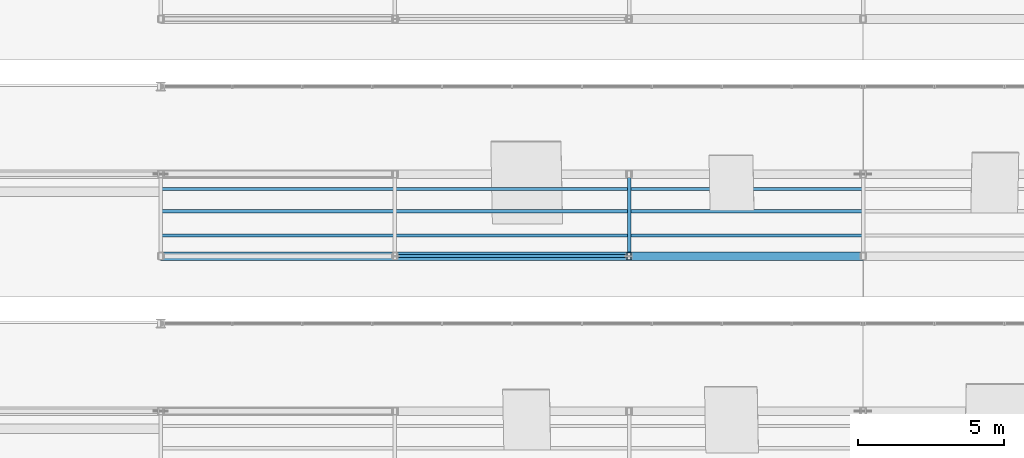
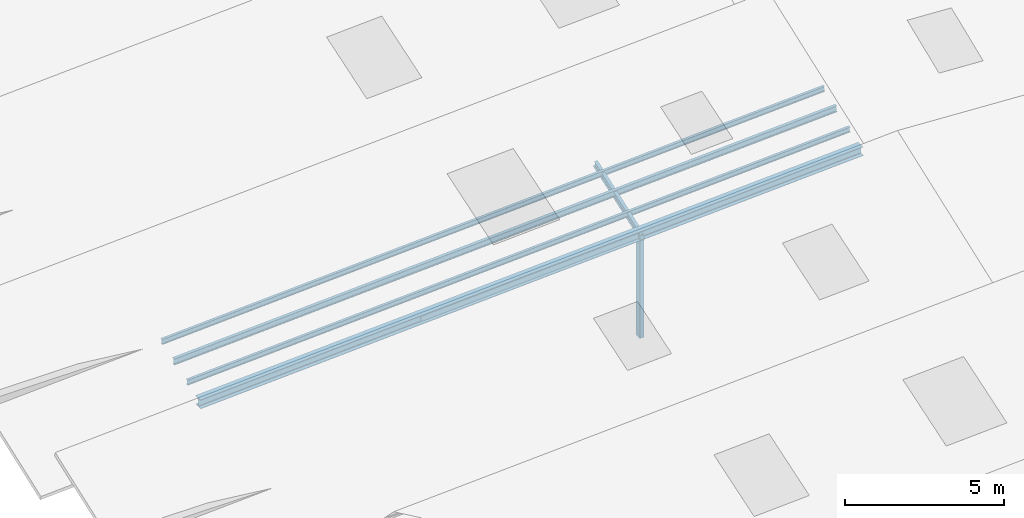
# One storey, part 79 of 141: 7 members.
"""IFC4 building model written with IfcOpenShell, lengths in metres."""

from ifc_helpers import new_model, si_unit, direction, frame, origin, origin_2d, place, context, subcontext, project, spatial, hollow_rectangle, i_section, extrude, material, material_profile, profile_set, type_object, element, save


model = new_model("IFC4")

# Units and contexts
model_context = context("Model", 3, precision=1e-05, world=origin(), true_north=direction((0.0, 1.0)))
body_context = subcontext(model_context, "Body", "Model", "MODEL_VIEW")
ifc_project = project(units=[si_unit("LENGTHUNIT", "METRE"), si_unit("AREAUNIT", "SQUARE_METRE"), si_unit("VOLUMEUNIT", "CUBIC_METRE"), si_unit("PLANEANGLEUNIT", "RADIAN"), si_unit("MASSUNIT", "GRAM", prefix="KILO")], contexts=[model_context])

# Site, building, storey
site_placement = place(None, origin())
site = spatial("IfcSite", under=ifc_project, at=site_placement, CompositionType="ELEMENT")
building_placement = place(site_placement, origin())
building = spatial("IfcBuilding", under=site, at=building_placement, Name="Sundkrona Museum", CompositionType="ELEMENT")
storey_placement = place(building_placement, frame((0.0, 0.0, 34.0)))
storey = spatial("IfcBuildingStorey", under=building, at=storey_placement, Name="RF", CompositionType="ELEMENT", Elevation=34.0)

# Members
ifc_material = material(Name="Steel S355J2", Category="steel")
ifc_material_profile_1 = material_profile(ifc_material, i_section(OverallWidth=0.10009765625, OverallDepth=0.199951171875, WebThickness=0.005615234375, FlangeThickness=0.008544921875, FilletRadius=0.011962890625, at=origin_2d()), Name="IPE 200")
ifc_profile_set_1 = profile_set([ifc_material_profile_1], Name="Steel S355J2")
member_type_1 = type_object("IfcMemberType", Name="PR-IPE200", PredefinedType="PURLIN", material=ifc_profile_set_1)
for number, where, z_axis, x_axis, name in (
    (1, (120.0, 29.5, 3.15966796875), (0.998539934522, 0.0, 0.054018507607), (0.0, 1.0, 0.0), "RFS-1 Sawtooth Blade 5W Roof Purlin 1"),
    (2, (120.0, 31.095947265625, 3.7470703125), (0.998539934522, 0.0, 0.054018507607), (0.0, 1.0, 0.0), "RFS-1 Sawtooth Blade 5W Roof Purlin 3"),
):
    element("IfcMember", number, at=place(storey_placement, frame(where, z_axis=z_axis, x_axis=x_axis)), inside=storey, type_object=member_type_1, Name=name, PredefinedType="PURLIN", context=body_context, shape_type="SweptSolid", body=[
        extrude(i_section(OverallWidth=0.10009765625, OverallDepth=0.199951171875, WebThickness=0.005615234375, FlangeThickness=0.008544921875, FilletRadius=0.011962890625, at=origin_2d()), origin(), (0.0, 0.0, 1.0), 24.03515625),
    ])
ifc_material_profile_2 = material_profile(ifc_material, i_section(OverallWidth=0.1201171875, OverallDepth=0.239990234375, WebThickness=0.006103515625, FlangeThickness=0.009765625, FilletRadius=0.014892578125, at=origin_2d()), Name="IPE 240")
ifc_profile_set_2 = profile_set([ifc_material_profile_2], Name="Steel S355J2")
member_type_2 = type_object("IfcMemberType", Name="PR-IPE240", PredefinedType="PURLIN", material=ifc_profile_set_2)
member_1_placement = place(storey_placement, frame((136.0, 28.800048828125, 3.6826171875), z_axis=(0.0, 0.942754878846, 0.333486489099), x_axis=(-1.0, 0.0, 0.0)))
element("IfcMember", 3, at=member_1_placement, inside=storey, type_object=member_type_2, Name="RFS-1 Sawtooth Bay 5 Transverse Rafter 3", PredefinedType="PURLIN", context=body_context, shape_type="SweptSolid", body=[
    extrude(i_section(OverallWidth=0.1201171875, OverallDepth=0.239990234375, WebThickness=0.006103515625, FlangeThickness=0.009765625, FilletRadius=0.014892578125, at=origin_2d()), origin(), (0.0, 0.0, 1.0), 2.969970703125),
])
member_2_placement = place(storey_placement, frame((120.0, 30.340087890625, 3.44873046875), z_axis=(0.998539934522, 0.0, 0.054018507607), x_axis=(0.0, 1.0, 0.0)))
element("IfcMember", 4, at=member_2_placement, inside=storey, type_object=member_type_2, Name="RFS-1 Sawtooth Blade 5W Roof Purlin 2", PredefinedType="PURLIN", context=body_context, shape_type="SweptSolid", body=[
    extrude(i_section(OverallWidth=0.1201171875, OverallDepth=0.239990234375, WebThickness=0.006103515625, FlangeThickness=0.009765625, FilletRadius=0.014892578125, at=origin_2d()), origin(), (0.0, 0.0, 1.0), 24.03515625),
])
ifc_material_profile_3 = material_profile(ifc_material, hollow_rectangle(XDim=0.10009765625, YDim=0.199951171875, WallThickness=0.008056640625, at=origin_2d()), Name="RHS 200x100x8.0")
ifc_profile_set_3 = profile_set([ifc_material_profile_3], Name="Steel S355J2")
member_type_3 = type_object("IfcMemberType", Name="PR-RHS200", PredefinedType="PURLIN", material=ifc_profile_set_3)
member_3_placement = place(storey_placement, frame((128.0400390625, 28.800048828125, 3.2119140625), z_axis=(0.998539806158, 0.0, 0.054020880389), x_axis=(0.0, 1.0, 0.0)))
element("IfcMember", 5, at=member_3_placement, inside=storey, type_object=member_type_3, Name="RFS-1 Sawtooth Bay 5 Valley Trim Purlin", PredefinedType="PURLIN", context=body_context, shape_type="SweptSolid", body=[
    extrude(hollow_rectangle(XDim=0.10009765625, YDim=0.199951171875, WallThickness=0.008056640625, at=origin_2d()), origin(), (0.0, 0.0, 1.0), 7.931396484375),
])
ifc_material_profile_4 = material_profile(ifc_material, hollow_rectangle(XDim=0.14990234375, YDim=0.25, WallThickness=0.010009765625, at=origin_2d()), Name="RHS 250x150x10.0")
ifc_profile_set_4 = profile_set([ifc_material_profile_4], Name="Steel S355J2")
member_type_4 = type_object("IfcMemberType", Name="ST-RHS250", PredefinedType="STRUT", material=ifc_profile_set_4)
member_4_placement = place(storey_placement, frame((136.0, 28.800048828125, -0.25), z_axis=(0.0, 0.0, 1.0), x_axis=(1.0, 0.0, 0.0)))
element("IfcMember", 6, at=member_4_placement, inside=storey, type_object=member_type_4, Name="RFS-1 Sawtooth Bay 5 Valley Post 3", PredefinedType="STRUT", context=body_context, shape_type="SweptSolid", body=[
    extrude(hollow_rectangle(XDim=0.14990234375, YDim=0.25, WallThickness=0.010009765625, at=origin_2d()), origin(), (0.0, 0.0, 1.0), 3.9326171875),
])
ifc_material_profile_5 = material_profile(ifc_material, i_section(OverallWidth=0.300048828125, OverallDepth=0.35009765625, WebThickness=0.010009765625, FlangeThickness=0.017578125, FilletRadius=0.027099609375, at=origin_2d()), Name="HEA 360")
ifc_profile_set_5 = profile_set([ifc_material_profile_5], Name="Steel S355J2")
member_type_5 = type_object("IfcMemberType", Name="TC-HEA360", PredefinedType="CHORD", material=ifc_profile_set_5)
member_5_placement = place(storey_placement, frame((120.0, 28.800048828125, 2.81689453125), z_axis=(0.998539934522, 0.0, 0.054018507607), x_axis=(0.0, 1.0, 0.0)))
element("IfcMember", 7, at=member_5_placement, inside=storey, type_object=member_type_5, Name="RFS-1 Sawtooth Valley Truss 5 West Top Chord", PredefinedType="CHORD", context=body_context, shape_type="SweptSolid", body=[
    extrude(i_section(OverallWidth=0.300048828125, OverallDepth=0.35009765625, WebThickness=0.010009765625, FlangeThickness=0.017578125, FilletRadius=0.027099609375, at=origin_2d()), origin(), (0.0, 0.0, 1.0), 24.03515625),
])

save(model, "model.ifc")
